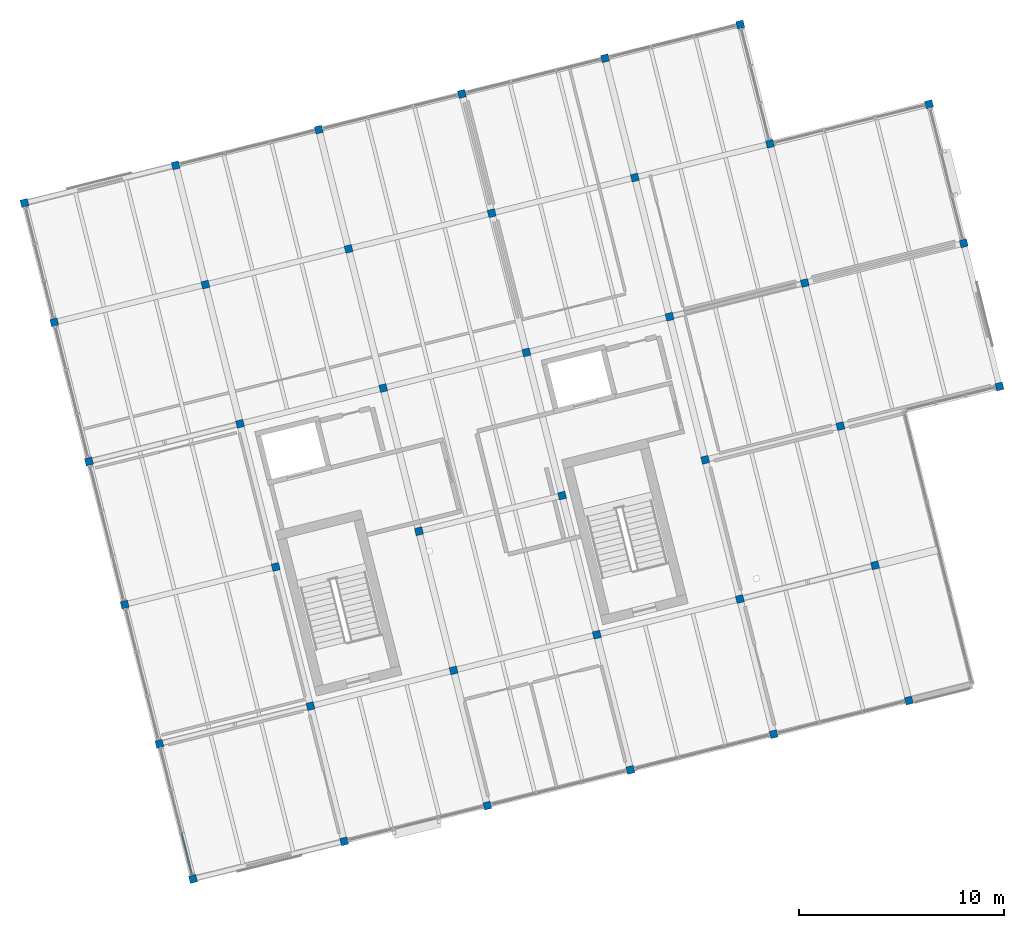
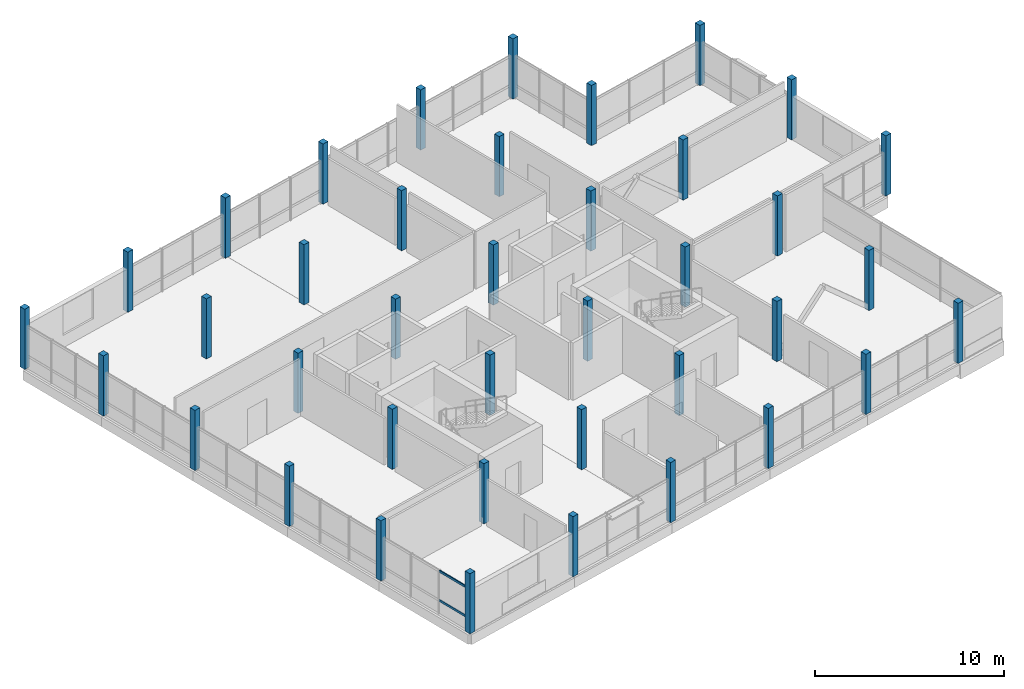
# One storey, part 1 of 28: 39 columns, 2 members, 1 element without a shape of its own.
"""IFC4 building model written with IfcOpenShell, lengths in metres."""

from ifc_helpers import new_model, si_unit, direction, frame, origin, origin_2d, place, context, subcontext, project, spatial, rectangle, hollow_rectangle, extrude, material, layer, layer_set, material_profile, profile_set, type_object, element, aggregate, save


model = new_model("IFC4")

# Units and contexts
model_context = context("Model", 3, precision=1e-05, world=origin(), true_north=direction((0.0, 1.0)))
body_context = subcontext(model_context, "Body", "Model", "MODEL_VIEW")
ifc_project = project(units=[si_unit("LENGTHUNIT", "METRE"), si_unit("AREAUNIT", "SQUARE_METRE"), si_unit("VOLUMEUNIT", "CUBIC_METRE"), si_unit("PLANEANGLEUNIT", "RADIAN"), si_unit("MASSUNIT", "GRAM", prefix="KILO")], contexts=[model_context])

# Site, building, storey
site_placement = place(None, origin())
site = spatial("IfcSite", under=ifc_project, at=site_placement, CompositionType="ELEMENT")
building_placement = place(site_placement, origin())
building = spatial("IfcBuilding", under=site, at=building_placement, Name="Meriwether Solvik Hall", CompositionType="ELEMENT")
storey_placement = place(building_placement, frame((0.0, 0.0, 37.800048828125)))
storey = spatial("IfcBuildingStorey", under=building, at=storey_placement, Name="L09", CompositionType="ELEMENT", Elevation=37.800048828125)

# Columns
ifc_material_1 = material(Name="Glulam Douglas-Fir L2 GL28c", Category="wood")
ifc_material_profile_1 = material_profile(ifc_material_1, rectangle(XDim=0.364990234375, YDim=0.364990234375, at=origin_2d()), Name="GLC-365X365")
ifc_profile_set_1 = profile_set([ifc_material_profile_1], Name="Glulam Douglas-Fir L2 GL28c")
column_type = type_object("IfcColumnType", Name="COL-GL-365X365", PredefinedType="COLUMN", material=ifc_profile_set_1)
for number, where, z_axis, x_axis, name in (
    (1, (68.60009765625, 41.199951171875, 0.0), (0.0, 0.0, 1.0), (0.970295726276, 0.2419218956, 0.0), "Tower Column T1/TA (L09)"),
    (2, (66.954833984375, 47.798095703125, 0.0), (0.0, 0.0, 1.0), (0.970295726276, 0.2419218956, 0.0), "Tower Column T1/TB (L09)"),
    (3, (65.261474609375, 54.590087890625, 0.0), (0.0, 0.0, 1.0), (0.970295726276, 0.2419218956, 0.0), "Tower Column T1/TC (L09)"),
    (4, (63.51953125, 61.576171875, 0.0), (0.0, 0.0, 1.0), (0.970295726276, 0.2419218956, 0.0), "Tower Column T1/TD (L09)"),
    (5, (61.826171875, 68.3681640625, 0.0), (0.0, 0.0, 1.0), (0.970295726276, 0.2419218956, 0.0), "Tower Column T1/TE (L09)"),
    (6, (60.374755859375, 74.18994140625, 0.0), (0.0, 0.0, 1.0), (0.970295726276, 0.2419218956, 0.0), "Tower Column T1/TF (L09)"),
    (7, (75.974365234375, 43.03857421875, 0.0), (0.0, 0.0, 1.0), (0.970295726276, 0.2419218956, 0.0), "Tower Column T2/TA (L09)"),
    (8, (74.3291015625, 49.63671875, 0.0), (0.0, 0.0, 1.0), (0.970295726276, 0.2419218956, 0.0), "Tower Column T2/TB (L09)"),
    (9, (72.6357421875, 56.4287109375, 0.0), (0.0, 0.0, 1.0), (0.970295726276, 0.2419218956, 0.0), "Tower Column T2/TC (L09)"),
    (10, (70.893798828125, 63.414794921875, 0.0), (0.0, 0.0, 1.0), (0.970295726276, 0.2419218956, 0.0), "Tower Column T2/TD (L09)"),
    (11, (69.200439453125, 70.206787109375, 0.0), (0.0, 0.0, 1.0), (0.970295726276, 0.2419218956, 0.0), "Tower Column T2/TE (L09)"),
    (12, (67.7490234375, 76.028564453125, 0.0), (0.0, 0.0, 1.0), (0.970295726276, 0.2419218956, 0.0), "Tower Column T2/TF (L09)"),
    (13, (82.96044921875, 44.780517578125, 0.0), (0.0, 0.0, 1.0), (0.970295726276, 0.2419218956, 0.0), "Tower Column T3/TA (L09)"),
    (14, (81.3154296875, 51.37841796875, 0.0), (0.0, 0.0, 1.0), (0.970295726276, 0.2419218956, 0.0), "Tower Column T3/TB (L09)"),
    (15, (79.621826171875, 58.17041015625, 0.0), (0.0, 0.0, 1.0), (0.970295726276, 0.2419218956, 0.0), "Tower Column T3/TC (L09)"),
    (16, (77.880126953125, 65.15673828125, 0.0), (0.0, 0.0, 1.0), (0.970295726276, 0.2419218956, 0.0), "Tower Column T3/TD (L09)"),
    (17, (76.1865234375, 71.94873046875, 0.0), (0.0, 0.0, 1.0), (0.970295726276, 0.2419218956, 0.0), "Tower Column T3/TE (L09)"),
    (18, (74.735107421875, 77.7705078125, 0.0), (0.0, 0.0, 1.0), (0.970295726276, 0.2419218956, 0.0), "Tower Column T3/TF (L09)"),
    (19, (89.946533203125, 46.522216796875, 0.0), (0.0, 0.0, 1.0), (0.970295726276, 0.2419218956, 0.0), "Tower Column T4/TA (L09)"),
    (20, (88.301513671875, 53.120361328125, 0.0), (0.0, 0.0, 1.0), (0.970295726276, 0.2419218956, 0.0), "Tower Column T4/TB (L09)"),
    (21, (86.60791015625, 59.912353515625, 0.0), (0.0, 0.0, 1.0), (0.970295726276, 0.2419218956, 0.0), "Tower Column T4/TC (L09)"),
    (22, (84.8662109375, 66.8984375, 0.0), (0.0, 0.0, 1.0), (0.970295726276, 0.2419218956, 0.0), "Tower Column T4/TD (L09)"),
    (23, (83.172607421875, 73.690673828125, 0.0), (0.0, 0.0, 1.0), (0.970295726276, 0.2419218956, 0.0), "Tower Column T4/TE (L09)"),
    (24, (81.72119140625, 79.512451171875, 0.0), (0.0, 0.0, 1.0), (0.970295726276, 0.2419218956, 0.0), "Tower Column T4/TF (L09)"),
    (25, (96.9326171875, 48.26416015625, 0.0), (0.0, 0.0, 1.0), (0.970295726276, 0.2419218956, 0.0), "Tower Column T5/TA (L09)"),
    (26, (95.28759765625, 54.862060546875, 0.0), (0.0, 0.0, 1.0), (0.970295726276, 0.2419218956, 0.0), "Tower Column T5/TB (L09)"),
    (27, (93.593994140625, 61.654296875, 0.0), (0.0, 0.0, 1.0), (0.970295726276, 0.2419218956, 0.0), "Tower Column T5/TC (L09)"),
    (28, (91.852294921875, 68.640380859375, 0.0), (0.0, 0.0, 1.0), (0.970295726276, 0.2419218956, 0.0), "Tower Column T5/TD (L09)"),
    (29, (90.158935546875, 75.432373046875, 0.0), (0.0, 0.0, 1.0), (0.970295726276, 0.2419218956, 0.0), "Tower Column T5/TE (L09)"),
    (30, (88.707275390625, 81.254150390625, 0.0), (0.0, 0.0, 1.0), (0.970295726276, 0.2419218956, 0.0), "Tower Column T5/TF (L09)"),
    (31, (103.53076171875, 49.9091796875, 0.0), (0.0, 0.0, 1.0), (0.970295726276, 0.2419218956, 0.0), "Tower Column T6/TA (L09)"),
    (32, (101.885498046875, 56.507080078125, 0.0), (0.0, 0.0, 1.0), (0.970295726276, 0.2419218956, 0.0), "Tower Column T6/TB (L09)"),
    (33, (100.192138671875, 63.29931640625, 0.0), (0.0, 0.0, 1.0), (0.970295726276, 0.2419218956, 0.0), "Tower Column T6/TC (L09)"),
    (34, (98.4501953125, 70.285400390625, 0.0), (0.0, 0.0, 1.0), (0.970295726276, 0.2419218956, 0.0), "Tower Column T6/TD (L09)"),
    (35, (96.7568359375, 77.077392578125, 0.0), (0.0, 0.0, 1.0), (0.970295726276, 0.2419218956, 0.0), "Tower Column T6/TE (L09)"),
    (36, (95.305419921875, 82.899169921875, 0.0), (0.0, 0.0, 1.0), (0.970295726276, 0.2419218956, 0.0), "Tower Column T6/TF (L09)"),
    (37, (107.95458984375, 65.234619140625, 0.0), (0.0, 0.0, 1.0), (0.970295726276, 0.2419218956, 0.0), "Tower Column T7/TC (L09)"),
    (38, (106.212646484375, 72.220703125, 0.0), (0.0, 0.0, 1.0), (0.970295726276, 0.2419218956, 0.0), "Tower Column T7/TD (L09)"),
    (39, (104.519287109375, 79.012939453125, 0.0), (0.0, 0.0, 1.0), (0.970295726276, 0.2419218956, 0.0), "Tower Column T7/TE (L09)"),
):
    element("IfcColumn", number, at=place(storey_placement, frame(where, z_axis=z_axis, x_axis=x_axis)), inside=storey, type_object=column_type, Name=name, PredefinedType="COLUMN", context=body_context, shape_type="SweptSolid", body=[
        extrude(rectangle(XDim=0.364990234375, YDim=0.364990234375, at=origin_2d()), origin(), (0.0, 0.0, 1.0), 3.89990234375),
    ])

# Curtain wall, members
ifc_material_2 = material(Name="Thermally Broken Anodised Aluminium 6063-T6 and Low-E Glass", Category="aluminium")
ifc_layer = layer(ifc_material_2, 0.179931640625)
ifc_layer_set = layer_set([ifc_layer], Name="Thermally Broken Anodised Aluminium 6063-T6 and Low-E Glass")
curtain_wall_type = type_object("IfcCurtainWallType", Name="CW-UNIT-G", PredefinedType="USERDEFINED", material=ifc_layer_set)
curtain_wall_placement = place(storey_placement, origin())
curtain_wall = element("IfcCurtainWall", 40, at=curtain_wall_placement, inside=storey, type_object=curtain_wall_type, Name="Curtain Wall E7_B0 (L09)", ObjectType="UNITISED CURTAIN WALL", PredefinedType="USERDEFINED")
ifc_material_3 = material(Name="Anodised Aluminium 6063-T6", Category="aluminium")
ifc_material_profile_2 = material_profile(ifc_material_3, hollow_rectangle(XDim=0.06494140625, YDim=0.139892578125, WallThickness=0.00439453125, at=origin_2d()), Name="CWT-65X140")
ifc_profile_set_2 = profile_set([ifc_material_profile_2], Name="Anodised Aluminium 6063-T6")
member_type = type_object("IfcMemberType", Name="CW-TRN-65X140", PredefinedType="USERDEFINED", material=ifc_profile_set_2)
member_1_placement = place(storey_placement, frame((68.543701171875, 41.425537109375, 0.8369140625), z_axis=(-0.241933481427, 0.970292837531, 0.0), x_axis=(-0.970292837531, -0.241933481427, 0.0)))
member_1 = element("IfcMember", 41, at=member_1_placement, type_object=member_type, Name="Curtain Wall Transom 1-sill", ObjectType="TRANSOM", PredefinedType="USERDEFINED", context=body_context, shape_type="SweptSolid", body=[
    extrude(hollow_rectangle(XDim=0.06494140625, YDim=0.139892578125, WallThickness=0.00439453125, at=origin_2d()), origin(), (0.0, 0.0, 1.0), 2.098876953125),
])
member_2_placement = place(storey_placement, frame((68.543701171875, 41.425537109375, 2.72998046875), z_axis=(-0.241933481427, 0.970292837531, 0.0), x_axis=(-0.970292837531, -0.241933481427, 0.0)))
member_2 = element("IfcMember", 42, at=member_2_placement, type_object=member_type, Name="Curtain Wall Transom 1-head", ObjectType="TRANSOM", PredefinedType="USERDEFINED", context=body_context, shape_type="SweptSolid", body=[
    extrude(hollow_rectangle(XDim=0.06494140625, YDim=0.139892578125, WallThickness=0.00439453125, at=origin_2d()), origin(), (0.0, 0.0, 1.0), 2.098876953125),
])
aggregate(curtain_wall, [member_1, member_2])

save(model, "model.ifc")
